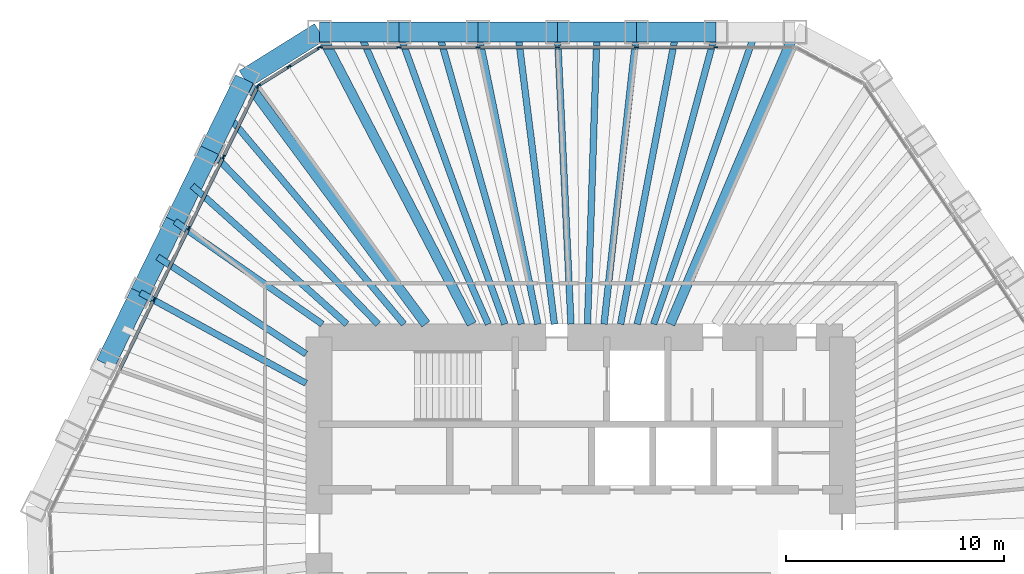
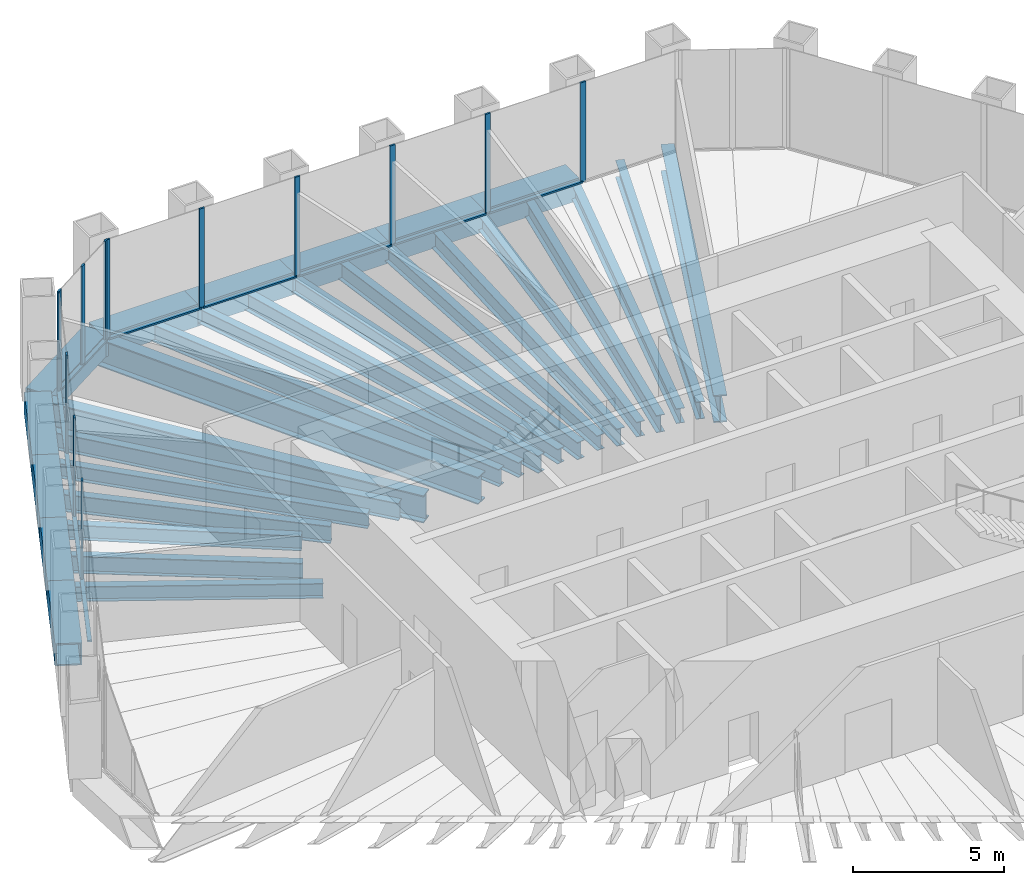
# One storey, part 6 of 14: 30 beams, 24 members, 3 elements without a shape of their own.
"""IFC4 building model written with IfcOpenShell, lengths in metres."""

from ifc_helpers import new_model, si_unit, direction, frame, origin, origin_2d, place, context, subcontext, project, spatial, rectangle, hollow_rectangle, i_section, extrude, material, material_profile, profile_set, type_object, element, aggregate, save


model = new_model("IFC4")

# Units and contexts
model_context = context("Model", 3, precision=1e-05, world=origin(), true_north=direction((0.0, 1.0)))
body_context = subcontext(model_context, "Body", "Model", "MODEL_VIEW")
ifc_project = project(units=[si_unit("LENGTHUNIT", "METRE"), si_unit("AREAUNIT", "SQUARE_METRE"), si_unit("VOLUMEUNIT", "CUBIC_METRE"), si_unit("PLANEANGLEUNIT", "RADIAN"), si_unit("MASSUNIT", "GRAM", prefix="KILO")], contexts=[model_context])

# Site, building, storey
site_placement = place(None, origin())
site = spatial("IfcSite", under=ifc_project, at=site_placement, CompositionType="ELEMENT")
building_placement = place(site_placement, origin())
building = spatial("IfcBuilding", under=site, at=building_placement, Name="Qingtian Harvest Tower", CompositionType="ELEMENT")
storey_placement = place(building_placement, frame((0.0, 0.0, 197.199951171875)))
storey = spatial("IfcBuildingStorey", under=building, at=storey_placement, Name="L42", CompositionType="ELEMENT", Elevation=197.199951171875)

# Beams
ifc_material_1 = material(Name="Steel SM570MC", Category="steel")
ifc_material_profile_1 = material_profile(ifc_material_1, i_section(OverallWidth=0.449951171875, OverallDepth=1.10009765625, WebThickness=0.02197265625, FlangeThickness=0.044921875, at=origin_2d()), Name="H1100x450x22x45")
ifc_profile_set_1 = profile_set([ifc_material_profile_1], Name="Steel SM570MC")
beam_type_1 = type_object("IfcBeamType", Name="Corner floor beam FB8 H1100x450x22x45", PredefinedType="BEAM", material=ifc_profile_set_1)
beam_1_placement = place(storey_placement, frame((-11.971923828125, 23.0, -0.719970703125), z_axis=(0.461712460868, -0.887029651973, 0.0), x_axis=(0.887029651973, 0.461712460868, 0.0)))
element("IfcBeam", 1, at=beam_1_placement, inside=storey, type_object=beam_type_1, Name="Floor beam FB8 N0", PredefinedType="BEAM", context=body_context, shape_type="SweptSolid", body=[
    extrude(i_section(OverallWidth=0.449951171875, OverallDepth=1.10009765625, WebThickness=0.02197265625, FlangeThickness=0.044921875, at=origin_2d()), origin(), (0.0, 0.0, 1.0), 15.1064453125),
])
beam_2_placement = place(storey_placement, frame((9.829345703125, 23.0, -0.719970703125), z_axis=(-0.392976835482, -0.91954837109, 0.0), x_axis=(0.91954837109, -0.392976835482, 0.0)))
element("IfcBeam", 2, at=beam_2_placement, inside=storey, type_object=beam_type_1, Name="Floor beam FB8 N6", PredefinedType="BEAM", context=body_context, shape_type="SweptSolid", body=[
    extrude(i_section(OverallWidth=0.449951171875, OverallDepth=1.10009765625, WebThickness=0.02197265625, FlangeThickness=0.044921875, at=origin_2d()), origin(), (0.0, 0.0, 1.0), 14.572265625),
])
beam_3_placement = place(storey_placement, frame((-15.424072265625, 20.8427734375, -0.719970703125), z_axis=(0.594854284538, -0.803833552526, 0.0), x_axis=(0.803833552526, 0.594854284538, 0.0)))
element("IfcBeam", 3, at=beam_3_placement, inside=storey, type_object=beam_type_1, Name="Floor beam FB8 NW6", PredefinedType="BEAM", context=body_context, shape_type="SweptSolid", body=[
    extrude(i_section(OverallWidth=0.449951171875, OverallDepth=1.10009765625, WebThickness=0.02197265625, FlangeThickness=0.044921875, at=origin_2d()), origin(), (0.0, 0.0, 1.0), 13.986328125),
])
ifc_material_2 = material(Name="Steel SN490B", Category="steel")
ifc_material_profile_2 = material_profile(ifc_material_2, i_section(OverallWidth=0.300048828125, OverallDepth=0.60009765625, WebThickness=0.011962890625, FlangeThickness=0.02001953125, at=origin_2d()), Name="H600x300x12x20")
ifc_profile_set_2 = profile_set([ifc_material_profile_2], Name="Steel SN490B")
beam_type_2 = type_object("IfcBeamType", Name="Floor beam FB3 H600x300x12x20", PredefinedType="BEAM", material=ifc_profile_set_2)
beam_4_placement = place(storey_placement, frame((-8.33837890625, 23.0, -0.469970703125), z_axis=(0.340826952705, -0.94012604916, 0.0), x_axis=(0.94012604916, 0.340826952705, 0.0)))
element("IfcBeam", 4, at=beam_4_placement, inside=storey, type_object=beam_type_2, Name="Floor beam FB3 N1", PredefinedType="BEAM", context=body_context, shape_type="SweptSolid", body=[
    extrude(i_section(OverallWidth=0.300048828125, OverallDepth=0.60009765625, WebThickness=0.011962890625, FlangeThickness=0.02001953125, at=origin_2d()), origin(), (0.0, 0.0, 1.0), 14.25341796875),
])
beam_5_placement = place(storey_placement, frame((-4.704833984375, 23.0, -0.469970703125), z_axis=(0.200401687601, -0.979713817197, 0.0), x_axis=(0.979713817197, 0.200401687601, 0.0)))
element("IfcBeam", 5, at=beam_5_placement, inside=storey, type_object=beam_type_2, Name="Floor beam FB3 N2", PredefinedType="BEAM", context=body_context, shape_type="SweptSolid", body=[
    extrude(i_section(OverallWidth=0.300048828125, OverallDepth=0.60009765625, WebThickness=0.011962890625, FlangeThickness=0.02001953125, at=origin_2d()), origin(), (0.0, 0.0, 1.0), 13.67724609375),
])
beam_6_placement = place(storey_placement, frame((-1.0712890625, 23.0, -0.469970703125), z_axis=(0.04651883736, -0.998917412888, 0.0), x_axis=(0.998917412888, 0.04651883736, 0.0)))
element("IfcBeam", 6, at=beam_6_placement, inside=storey, type_object=beam_type_2, Name="Floor beam FB3 N3", PredefinedType="BEAM", context=body_context, shape_type="SweptSolid", body=[
    extrude(i_section(OverallWidth=0.300048828125, OverallDepth=0.60009765625, WebThickness=0.011962890625, FlangeThickness=0.02001953125, at=origin_2d()), origin(), (0.0, 0.0, 1.0), 13.414306640625),
])
beam_7_placement = place(storey_placement, frame((2.562255859375, 23.0, -0.469970703125), z_axis=(-0.110727645803, -0.993850787822, 0.0), x_axis=(0.993850787822, -0.110727645803, 0.0)))
element("IfcBeam", 7, at=beam_7_placement, inside=storey, type_object=beam_type_2, Name="Floor beam FB3 N4", PredefinedType="BEAM", context=body_context, shape_type="SweptSolid", body=[
    extrude(i_section(OverallWidth=0.300048828125, OverallDepth=0.60009765625, WebThickness=0.011962890625, FlangeThickness=0.02001953125, at=origin_2d()), origin(), (0.0, 0.0, 1.0), 13.48291015625),
])
beam_8_placement = place(storey_placement, frame((6.19580078125, 23.0, -0.469970703125), z_axis=(-0.260121100906, -0.965576000563, 0.0), x_axis=(0.965576000563, -0.260121100906, 0.0)))
element("IfcBeam", 8, at=beam_8_placement, inside=storey, type_object=beam_type_2, Name="Floor beam FB3 N5", PredefinedType="BEAM", context=body_context, shape_type="SweptSolid", body=[
    extrude(i_section(OverallWidth=0.300048828125, OverallDepth=0.60009765625, WebThickness=0.011962890625, FlangeThickness=0.02001953125, at=origin_2d()), origin(), (0.0, 0.0, 1.0), 13.877685546875),
])
beam_9_placement = place(storey_placement, frame((-20.20263671875, 11.04541015625, -0.469970703125), z_axis=(0.87742673539, -0.479710666988, 0.0), x_axis=(0.479710666988, 0.87742673539, 0.0)))
element("IfcBeam", 9, at=beam_9_placement, inside=storey, type_object=beam_type_2, Name="Floor beam FB3 NW3", PredefinedType="BEAM", context=body_context, shape_type="SweptSolid", body=[
    extrude(i_section(OverallWidth=0.300048828125, OverallDepth=0.60009765625, WebThickness=0.011962890625, FlangeThickness=0.02001953125, at=origin_2d()), origin(), (0.0, 0.0, 1.0), 8.66455078125),
])
beam_10_placement = place(storey_placement, frame((-18.60986328125, 14.311279296875, -0.469970703125), z_axis=(0.820407854234, -0.571778762032, 0.0), x_axis=(0.571778762032, 0.820407854234, 0.0)))
element("IfcBeam", 10, at=beam_10_placement, inside=storey, type_object=beam_type_2, Name="Floor beam FB3 NW4", PredefinedType="BEAM", context=body_context, shape_type="SweptSolid", body=[
    extrude(i_section(OverallWidth=0.300048828125, OverallDepth=0.60009765625, WebThickness=0.011962890625, FlangeThickness=0.02001953125, at=origin_2d()), origin(), (0.0, 0.0, 1.0), 8.239501953125),
])
beam_11_placement = place(storey_placement, frame((-17.016845703125, 17.5771484375, -0.469970703125), z_axis=(0.695569024353, -0.718459276759, 0.0), x_axis=(0.718459276759, 0.695569024353, 0.0)))
element("IfcBeam", 11, at=beam_11_placement, inside=storey, type_object=beam_type_2, Name="Floor beam FB3 NW5", PredefinedType="BEAM", context=body_context, shape_type="SweptSolid", body=[
    extrude(i_section(OverallWidth=0.300048828125, OverallDepth=0.60009765625, WebThickness=0.011962890625, FlangeThickness=0.02001953125, at=origin_2d()), origin(), (0.0, 0.0, 1.0), 11.10302734375),
])
ifc_material_3 = material(Name="Steel SN490B", Category="steel")
ifc_material_profile_3 = material_profile(ifc_material_3, i_section(OverallWidth=0.300048828125, OverallDepth=0.699951171875, WebThickness=0.012939453125, FlangeThickness=0.02392578125, at=origin_2d()), Name="H700x300x13x24")
ifc_profile_set_3 = profile_set([ifc_material_profile_3], Name="Steel SN490B")
beam_type_3 = type_object("IfcBeamType", Name="Floor joist J2 H700x300x13x24", PredefinedType="JOIST", material=ifc_profile_set_3)
beam_12_placement = place(storey_placement, frame((-10.1552734375, 23.0, -0.52001953125), z_axis=(0.40391347792, -0.914797191925, 0.0), x_axis=(0.914797191925, 0.40391347792, 0.0)))
element("IfcBeam", 12, at=beam_12_placement, inside=storey, type_object=beam_type_3, Name="Floor joist J2 N0", PredefinedType="JOIST", context=body_context, shape_type="SweptSolid", body=[
    extrude(i_section(OverallWidth=0.300048828125, OverallDepth=0.699951171875, WebThickness=0.012939453125, FlangeThickness=0.02392578125, at=origin_2d()), origin(), (0.0, 0.0, 1.0), 14.64794921875),
])
beam_13_placement = place(storey_placement, frame((-6.521728515625, 23.0, -0.52001953125), z_axis=(0.272796737564, -0.962071691702, 0.0), x_axis=(0.962071691702, 0.272796737564, 0.0)))
element("IfcBeam", 13, at=beam_13_placement, inside=storey, type_object=beam_type_3, Name="Floor joist J2 N1", PredefinedType="JOIST", context=body_context, shape_type="SweptSolid", body=[
    extrude(i_section(OverallWidth=0.300048828125, OverallDepth=0.699951171875, WebThickness=0.012939453125, FlangeThickness=0.02392578125, at=origin_2d()), origin(), (0.0, 0.0, 1.0), 13.92822265625),
])
beam_14_placement = place(storey_placement, frame((-2.88818359375, 23.0, -0.52001953125), z_axis=(0.124590949529, -0.992208191508, 0.0), x_axis=(0.992208191508, 0.124590949529, 0.0)))
element("IfcBeam", 14, at=beam_14_placement, inside=storey, type_object=beam_type_3, Name="Floor joist J2 N2", PredefinedType="JOIST", context=body_context, shape_type="SweptSolid", body=[
    extrude(i_section(OverallWidth=0.300048828125, OverallDepth=0.699951171875, WebThickness=0.012939453125, FlangeThickness=0.02392578125, at=origin_2d()), origin(), (0.0, 0.0, 1.0), 13.505126953125),
])
beam_15_placement = place(storey_placement, frame((0.745361328125, 23.0, -0.52001953125), z_axis=(-0.032395624487, -0.99947512401, 0.0), x_axis=(0.99947512401, -0.032395624487, 0.0)))
element("IfcBeam", 15, at=beam_15_placement, inside=storey, type_object=beam_type_3, Name="Floor joist J2 N3", PredefinedType="JOIST", context=body_context, shape_type="SweptSolid", body=[
    extrude(i_section(OverallWidth=0.300048828125, OverallDepth=0.699951171875, WebThickness=0.012939453125, FlangeThickness=0.02392578125, at=origin_2d()), origin(), (0.0, 0.0, 1.0), 13.406982421875),
])
beam_16_placement = place(storey_placement, frame((4.37890625, 23.0, -0.52001953125), z_axis=(-0.187034797062, -0.982353289142, 0.0), x_axis=(0.982353289142, -0.187034797062, 0.0)))
element("IfcBeam", 16, at=beam_16_placement, inside=storey, type_object=beam_type_3, Name="Floor joist J2 N4", PredefinedType="JOIST", context=body_context, shape_type="SweptSolid", body=[
    extrude(i_section(OverallWidth=0.300048828125, OverallDepth=0.699951171875, WebThickness=0.012939453125, FlangeThickness=0.02392578125, at=origin_2d()), origin(), (0.0, 0.0, 1.0), 13.640625),
])
beam_17_placement = place(storey_placement, frame((8.012451171875, 23.0, -0.52001953125), z_axis=(-0.328969033283, -0.944340709247, 0.0), x_axis=(0.944340709247, -0.328969033283, 0.0)))
element("IfcBeam", 17, at=beam_17_placement, inside=storey, type_object=beam_type_3, Name="Floor joist J2 N5", PredefinedType="JOIST", context=body_context, shape_type="SweptSolid", body=[
    extrude(i_section(OverallWidth=0.300048828125, OverallDepth=0.699951171875, WebThickness=0.012939453125, FlangeThickness=0.02392578125, at=origin_2d()), origin(), (0.0, 0.0, 1.0), 14.189697265625),
])
beam_18_placement = place(storey_placement, frame((-19.40625, 12.678466796875, -0.52001953125), z_axis=(0.837161066611, -0.546956441182, 0.0), x_axis=(0.546956441182, 0.837161066611, 0.0)))
element("IfcBeam", 18, at=beam_18_placement, inside=storey, type_object=beam_type_3, Name="Floor joist J2 NW3", PredefinedType="JOIST", context=body_context, shape_type="SweptSolid", body=[
    extrude(i_section(OverallWidth=0.300048828125, OverallDepth=0.699951171875, WebThickness=0.012939453125, FlangeThickness=0.02392578125, at=origin_2d()), origin(), (0.0, 0.0, 1.0), 8.130126953125),
])
beam_19_placement = place(storey_placement, frame((-17.813232421875, 15.944091796875, -0.52001953125), z_axis=(0.745126517589, -0.66692313859, 0.0), x_axis=(0.66692313859, 0.745126517589, 0.0)))
element("IfcBeam", 19, at=beam_19_placement, inside=storey, type_object=beam_type_3, Name="Floor joist J2 NW4", PredefinedType="JOIST", context=body_context, shape_type="SweptSolid", body=[
    extrude(i_section(OverallWidth=0.300048828125, OverallDepth=0.699951171875, WebThickness=0.012939453125, FlangeThickness=0.02392578125, at=origin_2d()), origin(), (0.0, 0.0, 1.0), 9.512451171875),
])
beam_20_placement = place(storey_placement, frame((-16.220458984375, 19.2099609375, -0.52001953125), z_axis=(0.645157903911, -0.764049264787, 0.0), x_axis=(0.764049264787, 0.645157903911, 0.0)))
element("IfcBeam", 20, at=beam_20_placement, inside=storey, type_object=beam_type_3, Name="Floor joist J2 NW5", PredefinedType="JOIST", context=body_context, shape_type="SweptSolid", body=[
    extrude(i_section(OverallWidth=0.300048828125, OverallDepth=0.699951171875, WebThickness=0.012939453125, FlangeThickness=0.02392578125, at=origin_2d()), origin(), (0.0, 0.0, 1.0), 12.57763671875),
])

# Curtain wall, members
ifc_material_4 = material(Name="Bronze-anodised aluminium curtain wall", Category="aluminium")
curtain_wall_type = type_object("IfcCurtainWallType", Name="Curtain wall CW4 office", PredefinedType="USERDEFINED", material=ifc_material_4)
curtain_wall_1_placement = place(storey_placement, origin())
curtain_wall_1 = element("IfcCurtainWall", 21, at=curtain_wall_1_placement, inside=storey, type_object=curtain_wall_type, Name="Curtain wall CW4 L42 N0-5", ObjectType="RECESSED CURTAIN WALL", PredefinedType="USERDEFINED")
ifc_material_5 = material(Name="Bronze-anodised aluminium mullion", Category="aluminium")
ifc_material_profile_4 = material_profile(ifc_material_5, rectangle(XDim=0.06494140625, YDim=0.199951171875, at=origin_2d()), Name="AL 65x200")
ifc_profile_set_4 = profile_set([ifc_material_profile_4], Name="Bronze-anodised aluminium mullion")
member_type_1 = type_object("IfcMemberType", Name="Mullion CWM 65x200", PredefinedType="MULLION", material=ifc_profile_set_4)
member_1_placement = place(storey_placement, frame((-11.939453125, 22.300048828125, 0.0), z_axis=(0.0, 0.0, 1.0), x_axis=(0.0, 1.0, 0.0)))
member_1 = element("IfcMember", 22, at=member_1_placement, type_object=member_type_1, Name="CW4 mullion 1", PredefinedType="MULLION", context=body_context, shape_type="SweptSolid", body=[
    extrude(rectangle(XDim=0.06494140625, YDim=0.199951171875, at=origin_2d()), origin(), (0.0, 0.0, 1.0), 4.030029296875),
])
member_2_placement = place(storey_placement, frame((-8.33837890625, 22.300048828125, 0.0), z_axis=(0.0, 0.0, 1.0), x_axis=(0.0, 1.0, 0.0)))
member_2 = element("IfcMember", 23, at=member_2_placement, type_object=member_type_1, Name="CW4 mullion 2", PredefinedType="MULLION", context=body_context, shape_type="SweptSolid", body=[
    extrude(rectangle(XDim=0.06494140625, YDim=0.199951171875, at=origin_2d()), origin(), (0.0, 0.0, 1.0), 4.030029296875),
])
member_3_placement = place(storey_placement, frame((-4.704833984375, 22.300048828125, 0.0), z_axis=(0.0, 0.0, 1.0), x_axis=(0.0, 1.0, 0.0)))
member_3 = element("IfcMember", 24, at=member_3_placement, type_object=member_type_1, Name="CW4 mullion 3", PredefinedType="MULLION", context=body_context, shape_type="SweptSolid", body=[
    extrude(rectangle(XDim=0.06494140625, YDim=0.199951171875, at=origin_2d()), origin(), (0.0, 0.0, 1.0), 4.030029296875),
])
member_4_placement = place(storey_placement, frame((-1.0712890625, 22.300048828125, 0.0), z_axis=(0.0, 0.0, 1.0), x_axis=(0.0, 1.0, 0.0)))
member_4 = element("IfcMember", 25, at=member_4_placement, type_object=member_type_1, Name="CW4 mullion 4", PredefinedType="MULLION", context=body_context, shape_type="SweptSolid", body=[
    extrude(rectangle(XDim=0.06494140625, YDim=0.199951171875, at=origin_2d()), origin(), (0.0, 0.0, 1.0), 4.030029296875),
])
member_5_placement = place(storey_placement, frame((2.562255859375, 22.300048828125, 0.0), z_axis=(0.0, 0.0, 1.0), x_axis=(0.0, 1.0, 0.0)))
member_5 = element("IfcMember", 26, at=member_5_placement, type_object=member_type_1, Name="CW4 mullion 5", PredefinedType="MULLION", context=body_context, shape_type="SweptSolid", body=[
    extrude(rectangle(XDim=0.06494140625, YDim=0.199951171875, at=origin_2d()), origin(), (0.0, 0.0, 1.0), 4.030029296875),
])
member_6_placement = place(storey_placement, frame((6.19580078125, 22.300048828125, 0.0), z_axis=(0.0, 0.0, 1.0), x_axis=(0.0, 1.0, 0.0)))
member_6 = element("IfcMember", 27, at=member_6_placement, type_object=member_type_1, Name="CW4 mullion 6", PredefinedType="MULLION", context=body_context, shape_type="SweptSolid", body=[
    extrude(rectangle(XDim=0.06494140625, YDim=0.199951171875, at=origin_2d()), origin(), (0.0, 0.0, 1.0), 4.030029296875),
])

curtain_wall_2_placement = place(storey_placement, origin())
curtain_wall_2 = element("IfcCurtainWall", 28, at=curtain_wall_2_placement, inside=storey, type_object=curtain_wall_type, Name="Curtain wall CW4 L42 NW0-5", ObjectType="RECESSED CURTAIN WALL", PredefinedType="USERDEFINED")
member_7_placement = place(storey_placement, frame((-19.573486328125, 10.738525390625, 0.0), z_axis=(0.0, 0.0, 1.0), x_axis=(-0.898794046299, 0.438371146789, 0.0)))
member_7 = element("IfcMember", 29, at=member_7_placement, type_object=member_type_1, Name="CW4 mullion 4", PredefinedType="MULLION", context=body_context, shape_type="SweptSolid", body=[
    extrude(rectangle(XDim=0.06494140625, YDim=0.199951171875, at=origin_2d()), origin(), (0.0, 0.0, 1.0), 4.030029296875),
])
member_8_placement = place(storey_placement, frame((-17.980712890625, 14.00439453125, 0.0), z_axis=(0.0, 0.0, 1.0), x_axis=(-0.898794046299, 0.438371146789, 0.0)))
member_8 = element("IfcMember", 30, at=member_8_placement, type_object=member_type_1, Name="CW4 mullion 5", PredefinedType="MULLION", context=body_context, shape_type="SweptSolid", body=[
    extrude(rectangle(XDim=0.06494140625, YDim=0.199951171875, at=origin_2d()), origin(), (0.0, 0.0, 1.0), 4.030029296875),
])
member_9_placement = place(storey_placement, frame((-16.3876953125, 17.270263671875, 0.0), z_axis=(0.0, 0.0, 1.0), x_axis=(-0.898794046299, 0.438371146789, 0.0)))
member_9 = element("IfcMember", 31, at=member_9_placement, type_object=member_type_1, Name="CW4 mullion 6", PredefinedType="MULLION", context=body_context, shape_type="SweptSolid", body=[
    extrude(rectangle(XDim=0.06494140625, YDim=0.199951171875, at=origin_2d()), origin(), (0.0, 0.0, 1.0), 4.030029296875),
])
member_10_placement = place(storey_placement, frame((-14.80908203125, 20.5068359375, 0.0), z_axis=(0.0, 0.0, 1.0), x_axis=(-0.898794046299, 0.438371146789, 0.0)))
member_10 = element("IfcMember", 32, at=member_10_placement, type_object=member_type_1, Name="CW4 mullion 7", PredefinedType="MULLION", context=body_context, shape_type="SweptSolid", body=[
    extrude(rectangle(XDim=0.06494140625, YDim=0.199951171875, at=origin_2d()), origin(), (0.0, 0.0, 1.0), 4.030029296875),
])

curtain_wall_3_placement = place(storey_placement, origin())
curtain_wall_3 = element("IfcCurtainWall", 33, at=curtain_wall_3_placement, inside=storey, type_object=curtain_wall_type, Name="Curtain wall CW4 L42 NWC", ObjectType="RECESSED CURTAIN WALL", PredefinedType="USERDEFINED")
member_11_placement = place(storey_placement, frame((-14.767333984375, 20.55322265625, 0.0), z_axis=(0.0, 0.0, 1.0), x_axis=(-0.529919264233, 0.848048096156, 0.0)))
member_11 = element("IfcMember", 34, at=member_11_placement, type_object=member_type_1, Name="CW4 mullion 1", PredefinedType="MULLION", context=body_context, shape_type="SweptSolid", body=[
    extrude(rectangle(XDim=0.06494140625, YDim=0.199951171875, at=origin_2d()), origin(), (0.0, 0.0, 1.0), 4.030029296875),
])
member_12_placement = place(storey_placement, frame((-13.383544921875, 21.41796875, 0.0), z_axis=(0.0, 0.0, 1.0), x_axis=(-0.529919264233, 0.848048096156, 0.0)))
member_12 = element("IfcMember", 35, at=member_12_placement, type_object=member_type_1, Name="CW4 mullion 2", PredefinedType="MULLION", context=body_context, shape_type="SweptSolid", body=[
    extrude(rectangle(XDim=0.06494140625, YDim=0.199951171875, at=origin_2d()), origin(), (0.0, 0.0, 1.0), 4.030029296875),
])
member_13_placement = place(storey_placement, frame((-11.99951171875, 22.28271484375, 0.0), z_axis=(0.0, 0.0, 1.0), x_axis=(-0.529919264233, 0.848048096156, 0.0)))
member_13 = element("IfcMember", 36, at=member_13_placement, type_object=member_type_1, Name="CW4 mullion 3", PredefinedType="MULLION", context=body_context, shape_type="SweptSolid", body=[
    extrude(rectangle(XDim=0.06494140625, YDim=0.199951171875, at=origin_2d()), origin(), (0.0, 0.0, 1.0), 4.030029296875),
])

# Beams
ifc_material_6 = material(Name="Steel SM570MC", Category="steel")
ifc_material_profile_5 = material_profile(ifc_material_6, hollow_rectangle(XDim=0.89990234375, YDim=0.89990234375, WallThickness=0.050048828125, at=origin_2d()), Name="BOX900x900x50")
ifc_profile_set_5 = profile_set([ifc_material_profile_5], Name="Steel SM570MC")
beam_type_4 = type_object("IfcBeamType", Name="Transition spandrel SB6 BOX900x900x50", PredefinedType="SPANDREL", material=ifc_profile_set_5)
for number, where, z_axis, x_axis, name in (
    (37, (-11.971923828125, 23.0, -0.449951171875), (1.0, 0.0, 0.0), (0.0, 1.0, 0.0), "Spandrel SB6 N0"),
    (38, (-8.33837890625, 23.0, -0.449951171875), (1.0, 0.0, 0.0), (0.0, 1.0, 0.0), "Spandrel SB6 N1"),
    (39, (-4.704833984375, 23.0, -0.449951171875), (1.0, 0.0, 0.0), (0.0, 1.0, 0.0), "Spandrel SB6 N2"),
    (40, (-1.0712890625, 23.0, -0.449951171875), (1.0, 0.0, 0.0), (0.0, 1.0, 0.0), "Spandrel SB6 N3"),
    (41, (2.562255859375, 23.0, -0.449951171875), (1.0, 0.0, 0.0), (0.0, 1.0, 0.0), "Spandrel SB6 N4"),
    (42, (-21.79541015625, 7.779541015625, -0.449951171875), (0.438349498419, 0.898804604592, 0.0), (-0.898804604592, 0.438349498419, 0.0), "Spandrel SB6 NW2"),
    (43, (-20.20263671875, 11.04541015625, -0.449951171875), (0.438349498419, 0.898804604592, 0.0), (-0.898804604592, 0.438349498419, 0.0), "Spandrel SB6 NW3"),
):
    element("IfcBeam", number, at=place(storey_placement, frame(where, z_axis=z_axis, x_axis=x_axis)), inside=storey, type_object=beam_type_4, Name=name, PredefinedType="SPANDREL", context=body_context, shape_type="SweptSolid", body=[
        extrude(hollow_rectangle(XDim=0.89990234375, YDim=0.89990234375, WallThickness=0.050048828125, at=origin_2d()), origin(), (0.0, 0.0, 1.0), 3.633544921875),
    ])
beam_21_placement = place(storey_placement, frame((-18.60986328125, 14.311279296875, -0.449951171875), z_axis=(0.438403775684, 0.898778131391, 0.0), x_axis=(-0.898778131391, 0.438403775684, 0.0)))
element("IfcBeam", 44, at=beam_21_placement, inside=storey, type_object=beam_type_4, Name="Spandrel SB6 NW4", PredefinedType="SPANDREL", context=body_context, shape_type="SweptSolid", body=[
    extrude(hollow_rectangle(XDim=0.89990234375, YDim=0.89990234375, WallThickness=0.050048828125, at=origin_2d()), origin(), (0.0, 0.0, 1.0), 3.6337890625),
])
beam_22_placement = place(storey_placement, frame((-17.016845703125, 17.5771484375, -0.449951171875), z_axis=(0.43837597217, 0.898791692788, 0.0), x_axis=(-0.898791692788, 0.43837597217, 0.0)))
element("IfcBeam", 45, at=beam_22_placement, inside=storey, type_object=beam_type_4, Name="Spandrel SB6 NW5", PredefinedType="SPANDREL", context=body_context, shape_type="SweptSolid", body=[
    extrude(hollow_rectangle(XDim=0.89990234375, YDim=0.89990234375, WallThickness=0.050048828125, at=origin_2d()), origin(), (0.0, 0.0, 1.0), 3.63330078125),
])
beam_23_placement = place(storey_placement, frame((-15.424072265625, 20.8427734375, -0.449951171875), z_axis=(0.848038733752, 0.529934246919, 0.0), x_axis=(-0.529934246919, 0.848038733752, 0.0)))
element("IfcBeam", 46, at=beam_23_placement, inside=storey, type_object=beam_type_4, Name="Spandrel SB6 NWC", PredefinedType="SPANDREL", context=body_context, shape_type="SweptSolid", body=[
    extrude(hollow_rectangle(XDim=0.89990234375, YDim=0.89990234375, WallThickness=0.050048828125, at=origin_2d()), origin(), (0.0, 0.0, 1.0), 4.07080078125),
])

# Member
ifc_material_7 = material(Name="Bronze-anodised aluminium transom", Category="aluminium")
ifc_material_profile_6 = material_profile(ifc_material_7, rectangle(XDim=0.14990234375, YDim=0.06494140625, at=origin_2d()), Name="AL 65x150")
ifc_profile_set_6 = profile_set([ifc_material_profile_6], Name="Bronze-anodised aluminium transom")
member_type_2 = type_object("IfcMemberType", Name="Transom CWT 65x150", PredefinedType="USERDEFINED", material=ifc_profile_set_6)
member_14_placement = place(storey_placement, frame((-11.906982421875, 22.300048828125, 0.032470703125), z_axis=(1.0, 0.0, 0.0), x_axis=(0.0, 1.0, 0.0)))
member_14 = element("IfcMember", 47, at=member_14_placement, type_object=member_type_2, Name="CW4 transom 1.1", ObjectType="TRANSOM", PredefinedType="USERDEFINED", context=body_context, shape_type="SweptSolid", body=[
    extrude(rectangle(XDim=0.14990234375, YDim=0.06494140625, at=origin_2d()), origin(), (0.0, 0.0, 1.0), 3.5361328125),
])

member_15_placement = place(storey_placement, frame((-8.305908203125, 22.300048828125, 0.032470703125), z_axis=(1.0, 0.0, 0.0), x_axis=(0.0, 1.0, 0.0)))
member_15 = element("IfcMember", 48, at=member_15_placement, type_object=member_type_2, Name="CW4 transom 2.1", ObjectType="TRANSOM", PredefinedType="USERDEFINED", context=body_context, shape_type="SweptSolid", body=[
    extrude(rectangle(XDim=0.14990234375, YDim=0.06494140625, at=origin_2d()), origin(), (0.0, 0.0, 1.0), 3.568603515625),
])

member_16_placement = place(storey_placement, frame((-4.67236328125, 22.300048828125, 0.032470703125), z_axis=(1.0, 0.0, 0.0), x_axis=(0.0, 1.0, 0.0)))
member_16 = element("IfcMember", 49, at=member_16_placement, type_object=member_type_2, Name="CW4 transom 3.1", ObjectType="TRANSOM", PredefinedType="USERDEFINED", context=body_context, shape_type="SweptSolid", body=[
    extrude(rectangle(XDim=0.14990234375, YDim=0.06494140625, at=origin_2d()), origin(), (0.0, 0.0, 1.0), 3.568603515625),
])

member_17_placement = place(storey_placement, frame((-1.038818359375, 22.300048828125, 0.032470703125), z_axis=(1.0, 0.0, 0.0), x_axis=(0.0, 1.0, 0.0)))
member_17 = element("IfcMember", 50, at=member_17_placement, type_object=member_type_2, Name="CW4 transom 4.1", ObjectType="TRANSOM", PredefinedType="USERDEFINED", context=body_context, shape_type="SweptSolid", body=[
    extrude(rectangle(XDim=0.14990234375, YDim=0.06494140625, at=origin_2d()), origin(), (0.0, 0.0, 1.0), 3.568603515625),
])

member_18_placement = place(storey_placement, frame((2.5947265625, 22.300048828125, 0.032470703125), z_axis=(1.0, 0.0, 0.0), x_axis=(0.0, 1.0, 0.0)))
member_18 = element("IfcMember", 51, at=member_18_placement, type_object=member_type_2, Name="CW4 transom 5.1", ObjectType="TRANSOM", PredefinedType="USERDEFINED", context=body_context, shape_type="SweptSolid", body=[
    extrude(rectangle(XDim=0.14990234375, YDim=0.06494140625, at=origin_2d()), origin(), (0.0, 0.0, 1.0), 3.568603515625),
])

aggregate(curtain_wall_1, [member_1, member_2, member_3, member_4, member_5, member_6, member_14, member_15, member_16, member_17, member_18])

member_19_placement = place(storey_placement, frame((-21.152099609375, 7.501953125, 0.032470703125), z_axis=(0.438380500422, 0.898789484167, 0.0), x_axis=(-0.898789484167, 0.438380500422, 0.0)))
member_19 = element("IfcMember", 52, at=member_19_placement, type_object=member_type_2, Name="CW4 transom 3.1", ObjectType="TRANSOM", PredefinedType="USERDEFINED", context=body_context, shape_type="SweptSolid", body=[
    extrude(rectangle(XDim=0.14990234375, YDim=0.06494140625, at=origin_2d()), origin(), (0.0, 0.0, 1.0), 3.568603515625),
])

member_20_placement = place(storey_placement, frame((-19.559326171875, 10.767822265625, 0.032470703125), z_axis=(0.438407456795, 0.898776335818, 0.0), x_axis=(-0.898776335818, 0.438407456795, 0.0)))
member_20 = element("IfcMember", 53, at=member_20_placement, type_object=member_type_2, Name="CW4 transom 4.1", ObjectType="TRANSOM", PredefinedType="USERDEFINED", context=body_context, shape_type="SweptSolid", body=[
    extrude(rectangle(XDim=0.14990234375, YDim=0.06494140625, at=origin_2d()), origin(), (0.0, 0.0, 1.0), 3.568603515625),
])

member_21_placement = place(storey_placement, frame((-17.96630859375, 14.03369140625, 0.032470703125), z_axis=(0.438352188226, 0.898803292761, 0.0), x_axis=(-0.898803292761, 0.438352188226, 0.0)))
member_21 = element("IfcMember", 54, at=member_21_placement, type_object=member_type_2, Name="CW4 transom 5.1", ObjectType="TRANSOM", PredefinedType="USERDEFINED", context=body_context, shape_type="SweptSolid", body=[
    extrude(rectangle(XDim=0.14990234375, YDim=0.06494140625, at=origin_2d()), origin(), (0.0, 0.0, 1.0), 3.568359375),
])

member_22_placement = place(storey_placement, frame((-16.37353515625, 17.29931640625, 0.032470703125), z_axis=(0.438354255898, 0.898802284341, 0.0), x_axis=(-0.898802284341, 0.438354255898, 0.0)))
member_22 = element("IfcMember", 55, at=member_22_placement, type_object=member_type_2, Name="CW4 transom 6.1", ObjectType="TRANSOM", PredefinedType="USERDEFINED", context=body_context, shape_type="SweptSolid", body=[
    extrude(rectangle(XDim=0.14990234375, YDim=0.06494140625, at=origin_2d()), origin(), (0.0, 0.0, 1.0), 3.5361328125),
])

aggregate(curtain_wall_2, [member_7, member_8, member_9, member_10, member_19, member_20, member_21, member_22])

member_23_placement = place(storey_placement, frame((-14.73974609375, 20.570556640625, 0.032470703125), z_axis=(0.848015812303, 0.529970925697, 0.0), x_axis=(-0.529970925697, 0.848015812303, 0.0)))
member_23 = element("IfcMember", 56, at=member_23_placement, type_object=member_type_2, Name="CW4 transom 1.1", ObjectType="TRANSOM", PredefinedType="USERDEFINED", context=body_context, shape_type="SweptSolid", body=[
    extrude(rectangle(XDim=0.14990234375, YDim=0.06494140625, at=origin_2d()), origin(), (0.0, 0.0, 1.0), 1.566650390625),
])

member_24_placement = place(storey_placement, frame((-13.35595703125, 21.435302734375, 0.032470703125), z_axis=(0.848059570903, 0.529900900357, 0.0), x_axis=(-0.529900900357, 0.848059570903, 0.0)))
member_24 = element("IfcMember", 57, at=member_24_placement, type_object=member_type_2, Name="CW4 transom 2.1", ObjectType="TRANSOM", PredefinedType="USERDEFINED", context=body_context, shape_type="SweptSolid", body=[
    extrude(rectangle(XDim=0.14990234375, YDim=0.06494140625, at=origin_2d()), origin(), (0.0, 0.0, 1.0), 1.56689453125),
])

aggregate(curtain_wall_3, [member_11, member_12, member_13, member_23, member_24])

save(model, "model.ifc")
